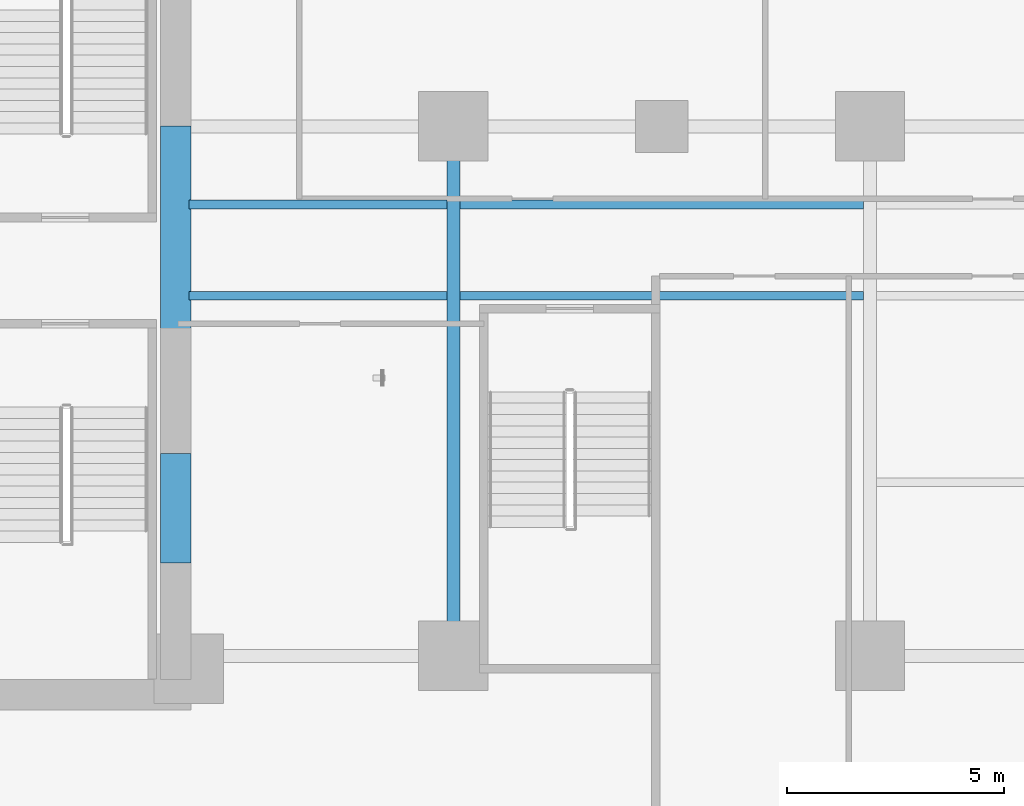
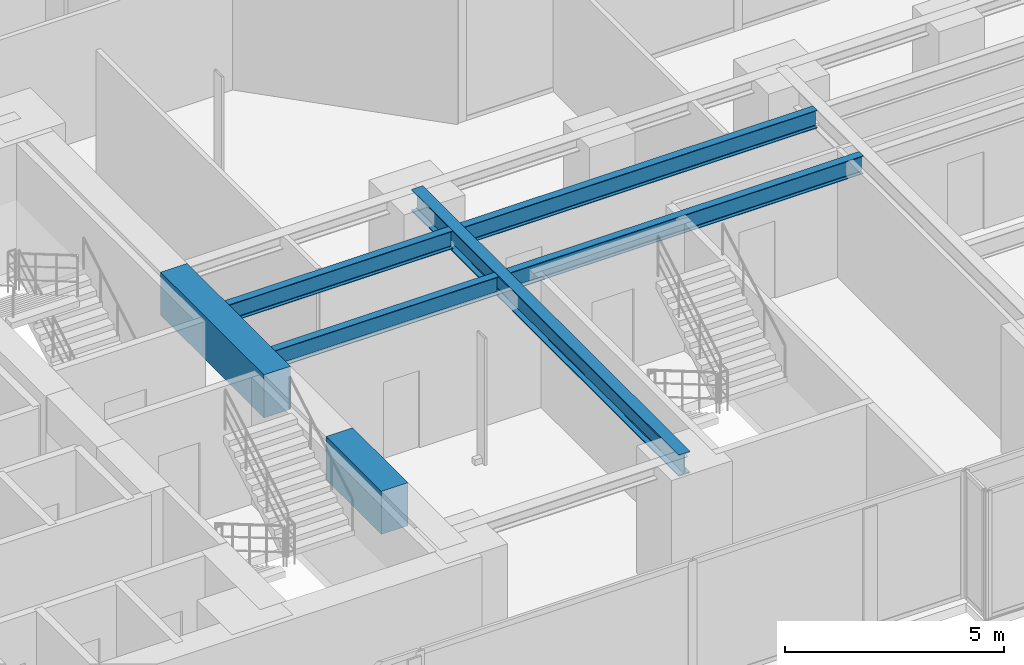
# One storey, part 5 of 31: 7 beams.
"""IFC4 building model written with IfcOpenShell, lengths in metres."""

import ifcopenshell
import ifcopenshell.guid

model = None  # the IFC model being written
_history = None  # IfcOwnerHistory: only IFC2X3 demands one
_inside = {}  # id of a spatial element -> (the spatial element, [elements in it])
_under = {}  # id of a project, library or spatial element -> (it, [spatial elements below it])
_declared = {}  # id of a project -> (the project, [libraries it declares])
_typed = {}  # id of a type object -> (the type object, [elements of that type])
_made_of = {}  # id of a material, layer set ... -> (it, [elements and type objects made of it])


def new_model(schema):
    """Start an empty IFC model of exactly this schema.

    Asked for "IFC4X3", IfcOpenShell would pick the latest addendum, in which some entities
    have other attributes; the version numbers below select the first issue.
    IFC2X3 requires an IfcOwnerHistory on every rooted entity: one is made here for all.
    """
    global model, _history
    if schema == "IFC4X3":
        model = ifcopenshell.file(schema_version=(4, 3, 0, 0))
    else:
        model = ifcopenshell.file(schema=schema)
    _inside.clear()
    _under.clear()
    _declared.clear()
    _typed.clear()
    _made_of.clear()
    _history = None
    if model.schema == "IFC2X3":
        org = make("IfcOrganization", Name="unknown")
        user = make(
            "IfcPersonAndOrganization",
            ThePerson=make("IfcPerson", FamilyName="unknown"),
            TheOrganization=org,
        )
        app = make(
            "IfcApplication",
            ApplicationDeveloper=org,
            Version="unknown",
            ApplicationFullName="unknown",
            ApplicationIdentifier="unknown",
        )
        _history = make(
            "IfcOwnerHistory",
            OwningUser=user,
            OwningApplication=app,
            ChangeAction="ADDED",
            CreationDate=0,
        )
    return model


def make(cls, **values):
    """One entity of the class cls with the attributes given. An attribute that is None is left unset."""
    return model.create_entity(
        cls, **{name: value for name, value in values.items() if value is not None}
    )


def rooted(cls, **values):
    """An entity with a GlobalId (a new one), such as an element, a storey or a relation."""
    return make(cls, GlobalId=ifcopenshell.guid.new(), OwnerHistory=_history, **values)


def si_unit(unit_type, name, prefix=None):
    """IfcSIUnit, for example si_unit("LENGTHUNIT", "METRE", prefix="MILLI")."""
    return make("IfcSIUnit", UnitType=unit_type, Prefix=prefix, Name=name)


def assignment(units):
    """IfcUnitAssignment: the units of a project."""
    return None if units is None else make("IfcUnitAssignment", Units=units)


def point(xyz):
    """IfcCartesianPoint."""
    return None if xyz is None else make("IfcCartesianPoint", Coordinates=xyz)


def direction(xyz):
    """IfcDirection."""
    return None if xyz is None else make("IfcDirection", DirectionRatios=xyz)


def frame(location, z_axis=None, x_axis=None):
    """IfcAxis2Placement3D, a coordinate frame: its origin and axes. An axis left out is left unset."""
    return make(
        "IfcAxis2Placement3D",
        Location=point(location),
        Axis=direction(z_axis),
        RefDirection=direction(x_axis),
    )


def frame_2d(location, x_axis=None):
    """IfcAxis2Placement2D, a coordinate frame in the plane: its origin and x axis."""
    return make(
        "IfcAxis2Placement2D", Location=point(location), RefDirection=direction(x_axis)
    )


def origin():
    """The frame at (0, 0, 0) with its axes left unset."""
    return frame((0.0, 0.0, 0.0))


def origin_2d():
    """The frame at (0, 0) in the plane with its x axis left unset."""
    return frame_2d((0.0, 0.0))


def place(relative_to, where):
    """IfcLocalPlacement: puts the frame where relative to a parent placement (None: the world)."""
    return make(
        "IfcLocalPlacement", PlacementRelTo=relative_to, RelativePlacement=where
    )


def context(
    kind, dimensions, precision=None, world=None, true_north=None, identifier=None
):
    """IfcGeometricRepresentationContext, for example the 3D "Model" context."""
    return make(
        "IfcGeometricRepresentationContext",
        ContextIdentifier=identifier,
        ContextType=kind,
        CoordinateSpaceDimension=dimensions,
        Precision=precision,
        WorldCoordinateSystem=world,
        TrueNorth=true_north,
    )


def subcontext(parent, identifier, kind, view, scale=None):
    """IfcGeometricRepresentationSubContext, for example "Body" below "Model"."""
    return make(
        "IfcGeometricRepresentationSubContext",
        ContextIdentifier=identifier,
        ContextType=kind,
        ParentContext=parent,
        TargetScale=scale,
        TargetView=view,
    )


def project(units=None, contexts=None):
    """IfcProject with its units and contexts."""
    return rooted(
        "IfcProject",
        Name="project",
        RepresentationContexts=contexts,
        UnitsInContext=assignment(units),
    )


def spatial(cls, under=None, at=None, **own):
    """A site, building, storey or space (cls), placed at a placement, below another one or the project."""
    s = rooted(cls, ObjectPlacement=at, **own)
    if under is not None:
        _under.setdefault(under.id(), (under, []))[1].append(s)
    return s


def profile(cls, at=None, kind="AREA", **sizes):
    """A parametric profile (cls). Its sizes go by their IFC names, for example OverallWidth=200.0."""
    return make(cls, ProfileType=kind, Position=at, **sizes)


def rectangle(**sizes):
    """IfcRectangleProfileDef."""
    return profile("IfcRectangleProfileDef", **sizes)


def i_section(**sizes):
    """IfcIShapeProfileDef."""
    return profile("IfcIShapeProfileDef", **sizes)


def extrude(swept, where, along, depth):
    """IfcExtrudedAreaSolid: the profile swept, set in the frame where, extruded along a direction by depth."""
    return make(
        "IfcExtrudedAreaSolid",
        SweptArea=swept,
        Position=where,
        ExtrudedDirection=direction(along),
        Depth=depth,
    )


def shape(context_of_items, identifier, shape_type, items):
    """IfcShapeRepresentation: the items that make up one representation, for example the "Body"."""
    return make(
        "IfcShapeRepresentation",
        ContextOfItems=context_of_items,
        RepresentationIdentifier=identifier,
        RepresentationType=shape_type,
        Items=items,
    )


def material(Name=None, Category=None):
    """IfcMaterial."""
    return make("IfcMaterial", Name=Name, Category=Category)


def material_profile(
    of_material, cross_section, Name=None, Category=None, Priority=None
):
    """IfcMaterialProfile: a cross section and its material."""
    return make(
        "IfcMaterialProfile",
        Name=Name,
        Material=of_material,
        Profile=cross_section,
        Priority=Priority,
        Category=Category,
    )


def profile_set(profiles, Name=None, composite=None):
    """IfcMaterialProfileSet."""
    return make(
        "IfcMaterialProfileSet",
        Name=Name,
        MaterialProfiles=profiles,
        CompositeProfile=composite,
    )


def made_of(thing, what):
    """Note that an element or type object is made of a material, layer set ...; save() writes the relation."""
    if what is not None:
        _made_of.setdefault(what.id(), (what, []))[1].append(thing)
    return thing


def type_object(cls, material=None, **own):
    """A type object (cls), such as IfcWallType, which elements share."""
    return made_of(rooted(cls, **own), material)


def element(
    cls,
    number,
    at=None,
    inside=None,
    cuts=None,
    type_object=None,
    material=None,
    context=None,
    identifier="Body",
    shape_type=None,
    held_by="IfcProductDefinitionShape",
    body=None,
    shapes=None,
    **own,
):
    """One element of the class cls, such as IfcWall. Its Tag is "e" and its number.

    at: its placement. inside: the storey or other place that contains it. cuts: it is an
    opening in that element (IfcRelVoidsElement). A single representation is given by context,
    identifier, shape_type and body (its items); several are given by shapes. held_by: the class
    of the entity that holds the representations. save() writes the other relations.
    """
    e = rooted(cls, Tag="e%d" % number, ObjectPlacement=at, **own)
    if body is not None:
        shapes = [shape(context, identifier, shape_type, body)]
    if shapes is not None:
        e.Representation = make(held_by, Representations=shapes)
    if inside is not None:
        _inside.setdefault(inside.id(), (inside, []))[1].append(e)
    if cuts is not None:
        rooted(
            "IfcRelVoidsElement", RelatingBuildingElement=cuts, RelatedOpeningElement=e
        )
    if type_object is not None:
        _typed.setdefault(type_object.id(), (type_object, []))[1].append(e)
    return made_of(e, material)


def aggregate(whole, parts):
    """IfcRelAggregates: a whole, such as a stair, and the parts it consists of."""
    return rooted("IfcRelAggregates", RelatingObject=whole, RelatedObjects=parts)


def save(model, path):
    """Write the relations noted so far, then the file.

    IfcRelAggregates (storeys below a building ...), IfcRelContainedInSpatialStructure (elements
    in a storey), IfcRelDefinesByType, IfcRelAssociatesMaterial and IfcRelDeclares: one each for
    every whole, place, type object, material and project.
    """
    for whole, parts in _under.values():
        aggregate(whole, parts)
    for where, things in _inside.values():
        rooted(
            "IfcRelContainedInSpatialStructure",
            RelatedElements=things,
            RelatingStructure=where,
        )
    for kind, things in _typed.values():
        rooted("IfcRelDefinesByType", RelatedObjects=things, RelatingType=kind)
    for what, things in _made_of.values():
        rooted("IfcRelAssociatesMaterial", RelatedObjects=things, RelatingMaterial=what)
    for by, libraries in _declared.values():
        rooted("IfcRelDeclares", RelatingContext=by, RelatedDefinitions=libraries)
    model.write(path)


model = new_model("IFC4")

# Units and contexts
model_context = context("Model", 3, precision=1e-05, world=origin(), true_north=direction((0.0, 1.0)))
body_context = subcontext(model_context, "Body", "Model", "MODEL_VIEW")
ifc_project = project(units=[si_unit("LENGTHUNIT", "METRE"), si_unit("AREAUNIT", "SQUARE_METRE"), si_unit("VOLUMEUNIT", "CUBIC_METRE"), si_unit("PLANEANGLEUNIT", "RADIAN"), si_unit("MASSUNIT", "GRAM", prefix="KILO")], contexts=[model_context])

# Site, building, storey
site_placement = place(None, origin())
site = spatial("IfcSite", under=ifc_project, at=site_placement, CompositionType="ELEMENT")
building_placement = place(site_placement, origin())
building = spatial("IfcBuilding", under=site, at=building_placement, Name="Kolvaren Waterfront Exchange", CompositionType="ELEMENT")
storey_placement = place(building_placement, frame((0.0, 0.0, 67.60009765625)))
storey = spatial("IfcBuildingStorey", under=building, at=storey_placement, Name="L17", CompositionType="ELEMENT", Elevation=67.60009765625)

# Beams
ifc_material_1 = material(Name="Steel S355", Category="steel")
ifc_material_profile_1 = material_profile(ifc_material_1, i_section(OverallWidth=0.300048828125, OverallDepth=0.60009765625, WebThickness=0.015380859375, FlangeThickness=0.030029296875, FilletRadius=0.027099609375, at=origin_2d()), Name="HEB600")
ifc_profile_set_1 = profile_set([ifc_material_profile_1], Name="Steel S355")
beam_type_1 = type_object("IfcBeamType", Name="STR-BM-HEB600", PredefinedType="BEAM", material=ifc_profile_set_1)
beam_1_placement = place(storey_placement, frame((27.199951171875, 5.199951171875, 3.239990234375), z_axis=(0.0, 1.0, 0.0), x_axis=(-1.0, 0.0, 0.0)))
element("IfcBeam", 1, at=beam_1_placement, inside=storey, type_object=beam_type_1, Name="L17 east-arm transverse girder X27", PredefinedType="BEAM", context=body_context, shape_type="SweptSolid", body=[
    extrude(i_section(OverallWidth=0.300048828125, OverallDepth=0.60009765625, WebThickness=0.015380859375, FlangeThickness=0.030029296875, FilletRadius=0.027099609375, at=origin_2d()), origin(), (0.0, 0.0, 1.0), 12.199951171875),
])
ifc_material_profile_2 = material_profile(ifc_material_1, i_section(OverallWidth=0.199951171875, OverallDepth=0.5, WebThickness=0.01025390625, FlangeThickness=0.01611328125, FilletRadius=0.02099609375, at=origin_2d()), Name="IPE500")
ifc_profile_set_2 = profile_set([ifc_material_profile_2], Name="Steel S355")
beam_type_2 = type_object("IfcBeamType", Name="STR-BM-IPE500", PredefinedType="JOIST", material=ifc_profile_set_2)
for number, where, z_axis, x_axis, name in (
    (2, (21.10009765625, 13.5, 3.289794921875), (1.0, 0.0, 0.0), (0.0, 1.0, 0.0), "L17 east-arm composite joist 1A"),
    (3, (21.10009765625, 15.60009765625, 3.289794921875), (1.0, 0.0, 0.0), (0.0, 1.0, 0.0), "L17 east-arm composite joist 1C"),
):
    element("IfcBeam", number, at=place(storey_placement, frame(where, z_axis=z_axis, x_axis=x_axis)), inside=storey, type_object=beam_type_2, Name=name, PredefinedType="JOIST", context=body_context, shape_type="SweptSolid", body=[
        extrude(i_section(OverallWidth=0.199951171875, OverallDepth=0.5, WebThickness=0.01025390625, FlangeThickness=0.01611328125, FilletRadius=0.02099609375, at=origin_2d()), origin(), (0.0, 0.0, 1.0), 5.947998046875),
    ])
for number, where, z_axis, x_axis, name in (
    (4, (27.35205078125, 13.5, 3.289794921875), (1.0, 0.0, 0.0), (0.0, 1.0, 0.0), "L17 east-arm composite joist 2A"),
    (5, (27.35205078125, 15.60009765625, 3.289794921875), (1.0, 0.0, 0.0), (0.0, 1.0, 0.0), "L17 east-arm composite joist 2C"),
):
    element("IfcBeam", number, at=place(storey_placement, frame(where, z_axis=z_axis, x_axis=x_axis)), inside=storey, type_object=beam_type_2, Name=name, PredefinedType="JOIST", context=body_context, shape_type="SweptSolid", body=[
        extrude(i_section(OverallWidth=0.199951171875, OverallDepth=0.5, WebThickness=0.01025390625, FlangeThickness=0.01611328125, FilletRadius=0.02099609375, at=origin_2d()), origin(), (0.0, 0.0, 1.0), 9.2958984375),
    ])
ifc_material_2 = material(Name="Concrete C70/85", Category="concrete")
ifc_material_profile_3 = material_profile(ifc_material_2, rectangle(XDim=0.699951171875, YDim=1.199951171875, at=origin_2d()), Name="RC-CB-1200x700")
ifc_profile_set_3 = profile_set([ifc_material_profile_3], Name="Concrete C70/85")
beam_type_3 = type_object("IfcBeamType", Name="STR-CB-1200", PredefinedType="SPANDREL", material=ifc_profile_set_3)
beam_2_placement = place(storey_placement, frame((20.800048828125, 7.340087890625, 2.93994140625), z_axis=(0.0, 1.0, 0.0), x_axis=(-1.0, 0.0, 0.0)))
element("IfcBeam", 6, at=beam_2_placement, inside=storey, type_object=beam_type_3, Name="L17 core coupling beam 1", PredefinedType="SPANDREL", context=body_context, shape_type="SweptSolid", body=[
    extrude(rectangle(XDim=0.699951171875, YDim=1.199951171875, at=origin_2d()), origin(), (0.0, 0.0, 1.0), 2.52001953125),
])
beam_3_placement = place(storey_placement, frame((20.800048828125, 12.68994140625, 2.93994140625), z_axis=(0.0, 1.0, 0.0), x_axis=(-1.0, 0.0, 0.0)))
element("IfcBeam", 7, at=beam_3_placement, inside=storey, type_object=beam_type_3, Name="L17 core coupling beam 2", PredefinedType="SPANDREL", context=body_context, shape_type="SweptSolid", body=[
    extrude(rectangle(XDim=0.699951171875, YDim=1.199951171875, at=origin_2d()), origin(), (0.0, 0.0, 1.0), 4.719970703125),
])

save(model, "model.ifc")
